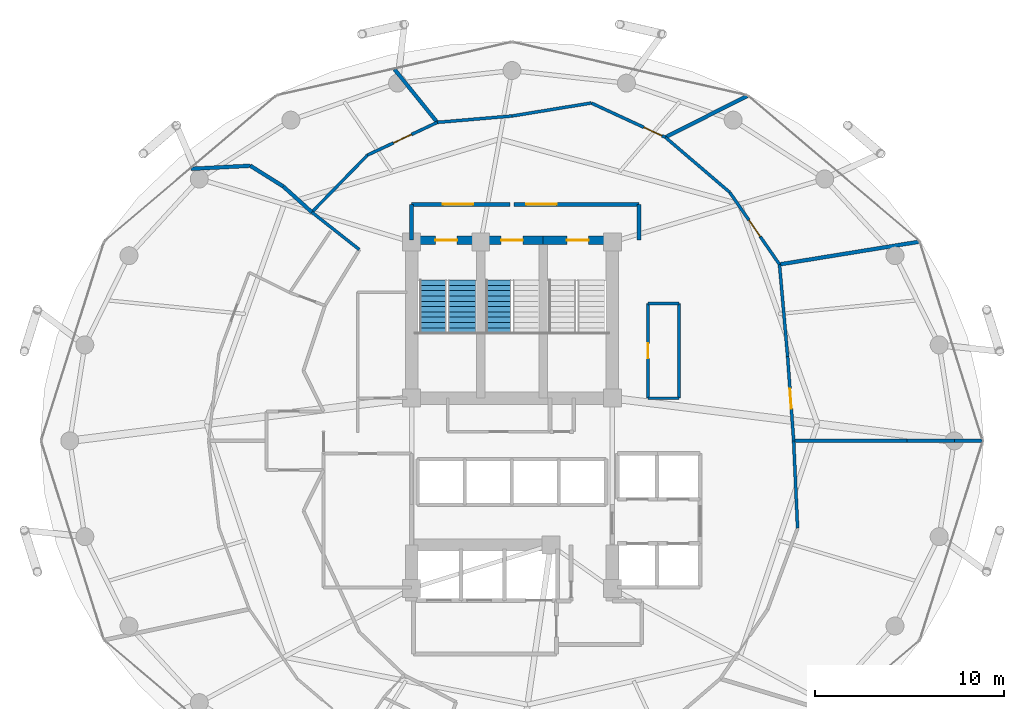
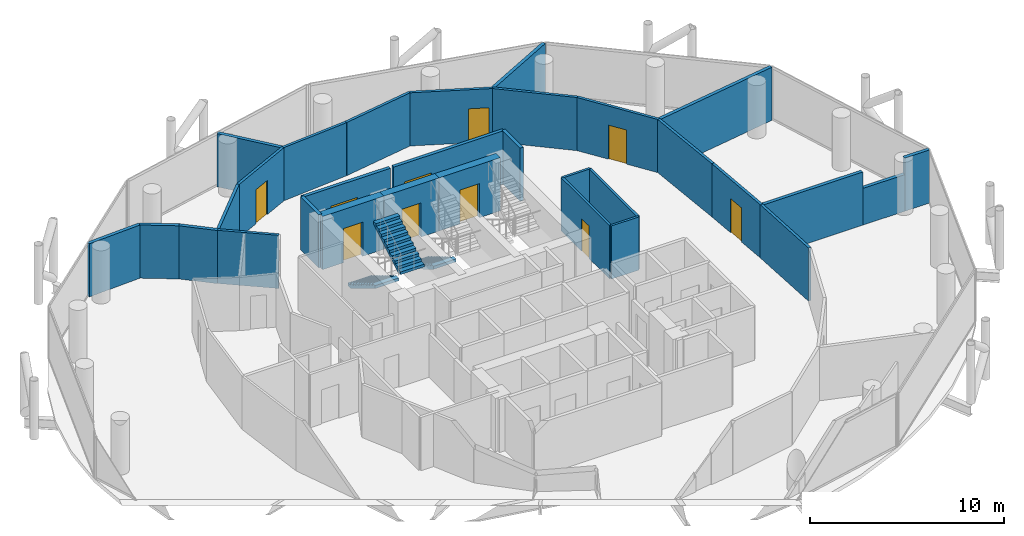
# One storey, part 24 of 26: 31 walls, 10 doors, 3 stair flights, 10 openings, 2 elements without a shape of their own.
"""IFC4 building model written with IfcOpenShell, lengths in metres."""

from ifc_helpers import new_model, si_unit, direction, frame, frame_2d, origin, place, context, subcontext, project, spatial, polyline, rectangle, outline, extrude, material, layer, layer_set, type_object, element, fill, aggregate, save


model = new_model("IFC4")

# Units and contexts
model_context = context("Model", 3, precision=1e-05, world=origin(), true_north=direction((0.0, 1.0)))
body_context = subcontext(model_context, "Body", "Model", "MODEL_VIEW")
ifc_project = project(units=[si_unit("LENGTHUNIT", "METRE"), si_unit("AREAUNIT", "SQUARE_METRE"), si_unit("VOLUMEUNIT", "CUBIC_METRE"), si_unit("PLANEANGLEUNIT", "RADIAN"), si_unit("MASSUNIT", "GRAM", prefix="KILO")], contexts=[model_context])

# Site, building, storey
site_placement = place(None, origin())
site = spatial("IfcSite", under=ifc_project, at=site_placement, CompositionType="ELEMENT")
building_placement = place(site_placement, origin())
building = spatial("IfcBuilding", under=site, at=building_placement, Name="Nuhasar Tower", CompositionType="ELEMENT")
storey_placement = place(building_placement, frame((0.0, 0.0, 192.25)))
storey = spatial("IfcBuildingStorey", under=building, at=storey_placement, Name="L47", CompositionType="ELEMENT", Elevation=192.25)

# Wall, opening, door
ifc_material_1 = material(Name="Concrete C50/60", Category="concrete")
ifc_layer_1 = layer(ifc_material_1, 0.449951171875)
ifc_layer_set_1 = layer_set([ifc_layer_1], Name="Concrete C50/60")
wall_type_1 = type_object("IfcWallType", Name="WL-CORE-450", PredefinedType="SHEAR", material=ifc_layer_set_1)
wall_1_placement = place(storey_placement, frame((37.35009765625, 37.39990234375, 0.0), z_axis=(0.0, 0.0, 1.0), x_axis=(-1.0, 0.0, 0.0)))
wall_1 = element("IfcWall", 1, at=wall_1_placement, inside=storey, type_object=wall_type_1, Name="L47 Stairwell Shear Wall ST01-N", PredefinedType="SHEAR", context=body_context, shape_type="SweptSolid", body=[
    extrude(rectangle(XDim=3.650146484375, YDim=0.449951171875, at=frame_2d((1.8251953125, 0.0))), origin(), (0.0, 0.0, 1.0), 3.35009765625),
])
opening_1_placement = place(wall_1_placement, frame((1.25, 0.0, 0.0)))
opening_1 = element("IfcOpeningElement", 2, at=opening_1_placement, cuts=wall_1, Name="Opening DS-01", PredefinedType="OPENING", context=body_context, shape_type="SweptSolid", body=[
    extrude(rectangle(XDim=1.14990234375, YDim=2.14990234375, at=frame_2d((0.574951171875, 1.074951171875))), frame((0.0, 0.23486328125, 0.0), z_axis=(0.0, -1.0, 0.0), x_axis=(1.0, 0.0, 0.0)), (0.0, 0.0, 1.0), 0.469970703125),
])
ifc_material_2 = material(Name="Steel S355", Category="steel")
door_type_1 = type_object("IfcDoorType", Name="DR-STAIR-FD120-1150", OperationType="NOTDEFINED", PredefinedType="DOOR", material=ifc_material_2)
door_1_placement = place(opening_1_placement, origin())
door_1 = element("IfcDoor", 3, at=door_1_placement, inside=storey, type_object=door_type_1, Name="L47 Exit Stair ST-01 Door", OperationType="SINGLE_SWING_RIGHT", OverallHeight=2.14990234375, OverallWidth=1.14990234375, PredefinedType="DOOR", context=body_context, shape_type="SweptSolid", body=[
    extrude(rectangle(XDim=1.14990234375, YDim=2.14990234375, at=frame_2d((0.574951171875, 1.074951171875))), frame((0.0, 0.02490234375, 0.0), z_axis=(0.0, -1.0, 0.0), x_axis=(1.0, 0.0, 0.0)), (0.0, 0.0, 1.0), 0.050048828125),
])
fill(opening_1, door_1)

wall_2_placement = place(storey_placement, frame((40.64990234375, 37.39990234375, 0.0), z_axis=(0.0, 0.0, 1.0), x_axis=(-1.0, 0.0, 0.0)))
wall_2 = element("IfcWall", 4, at=wall_2_placement, inside=storey, type_object=wall_type_1, Name="L47 Stairwell Shear Wall ST03-N", PredefinedType="SHEAR", context=body_context, shape_type="SweptSolid", body=[
    extrude(rectangle(XDim=3.2998046875, YDim=0.449951171875, at=frame_2d((1.64990234375, 0.0))), origin(), (0.0, 0.0, 1.0), 3.35009765625),
])
opening_2_placement = place(wall_2_placement, frame((1.074951171875, 0.0, 0.0)))
opening_2 = element("IfcOpeningElement", 5, at=opening_2_placement, cuts=wall_2, Name="Opening DS-01", PredefinedType="OPENING", context=body_context, shape_type="SweptSolid", body=[
    extrude(rectangle(XDim=1.14990234375, YDim=2.14990234375, at=frame_2d((0.574951171875, 1.074951171875))), frame((0.0, 0.23486328125, 0.0), z_axis=(0.0, -1.0, 0.0), x_axis=(1.0, 0.0, 0.0)), (0.0, 0.0, 1.0), 0.469970703125),
])
door_2_placement = place(opening_2_placement, origin())
door_2 = element("IfcDoor", 6, at=door_2_placement, inside=storey, type_object=door_type_1, Name="L47 Exit Stair ST-03 Door", OperationType="SINGLE_SWING_RIGHT", OverallHeight=2.14990234375, OverallWidth=1.14990234375, PredefinedType="DOOR", context=body_context, shape_type="SweptSolid", body=[
    extrude(rectangle(XDim=1.14990234375, YDim=2.14990234375, at=frame_2d((0.574951171875, 1.074951171875))), frame((0.0, 0.02490234375, 0.0), z_axis=(0.0, -1.0, 0.0), x_axis=(1.0, 0.0, 0.0)), (0.0, 0.0, 1.0), 0.050048828125),
])
fill(opening_2, door_2)

wall_3_placement = place(storey_placement, frame((44.300048828125, 37.39990234375, 0.0), z_axis=(0.0, 0.0, 1.0), x_axis=(-1.0, 0.0, 0.0)))
wall_3 = element("IfcWall", 7, at=wall_3_placement, inside=storey, type_object=wall_type_1, Name="L47 Stairwell Shear Wall ST02-N", PredefinedType="SHEAR", context=body_context, shape_type="SweptSolid", body=[
    extrude(rectangle(XDim=3.650146484375, YDim=0.449951171875, at=frame_2d((1.8251953125, 0.0))), origin(), (0.0, 0.0, 1.0), 3.35009765625),
])
opening_3_placement = place(wall_3_placement, frame((1.25, 0.0, 0.0)))
opening_3 = element("IfcOpeningElement", 8, at=opening_3_placement, cuts=wall_3, Name="Opening DS-01", PredefinedType="OPENING", context=body_context, shape_type="SweptSolid", body=[
    extrude(rectangle(XDim=1.14990234375, YDim=2.14990234375, at=frame_2d((0.574951171875, 1.074951171875))), frame((0.0, 0.23486328125, 0.0), z_axis=(0.0, -1.0, 0.0), x_axis=(1.0, 0.0, 0.0)), (0.0, 0.0, 1.0), 0.469970703125),
])
door_3_placement = place(opening_3_placement, origin())
door_3 = element("IfcDoor", 9, at=door_3_placement, inside=storey, type_object=door_type_1, Name="L47 Exit Stair ST-02 Door", OperationType="SINGLE_SWING_LEFT", OverallHeight=2.14990234375, OverallWidth=1.14990234375, PredefinedType="DOOR", context=body_context, shape_type="SweptSolid", body=[
    extrude(rectangle(XDim=1.14990234375, YDim=2.14990234375, at=frame_2d((0.574951171875, 1.074951171875))), frame((0.0, 0.02490234375, 0.0), z_axis=(0.0, -1.0, 0.0), x_axis=(1.0, 0.0, 0.0)), (0.0, 0.0, 1.0), 0.050048828125),
])
fill(opening_3, door_3)

# Wall
ifc_material_3 = material(Name="Gypsum Board", Category="gypsum")
ifc_layer_2 = layer(ifc_material_3, 0.159912109375)
ifc_layer_set_2 = layer_set([ifc_layer_2], Name="Gypsum Board")
wall_type_2 = type_object("IfcWallType", Name="WL-CORR-160", PredefinedType="PARTITIONING", material=ifc_layer_set_2)
wall_4_placement = place(storey_placement, frame((54.077880859375, 22.18505859375, 0.0), z_axis=(0.0, 0.0, 1.0), x_axis=(-0.044973757158, 0.998988168682, 0.0)))
element("IfcWall", 10, at=wall_4_placement, inside=storey, type_object=wall_type_2, Name="L47 Interior Partition CORR-46", PredefinedType="PARTITIONING", context=body_context, shape_type="SweptSolid", body=[
    extrude(rectangle(XDim=4.61962890625, YDim=0.159912109375, at=frame_2d((2.309814453125, 0.0))), origin(), (0.0, 0.0, 1.0), 3.35009765625),
])

# Wall, opening, door
wall_5_placement = place(storey_placement, frame((53.552001953125, 31.25390625, 0.0), z_axis=(0.0, 0.0, 1.0), x_axis=(0.071243164365, -0.997458977368, 0.0)))
wall_5 = element("IfcWall", 11, at=wall_5_placement, inside=storey, type_object=wall_type_2, Name="L47 Interior Partition CORR-00", PredefinedType="PARTITIONING", context=body_context, shape_type="SweptSolid", body=[
    extrude(rectangle(XDim=4.465087890625, YDim=0.159912109375, at=frame_2d((2.232421875, 0.0))), origin(), (0.0, 0.0, 1.0), 3.35009765625),
])
opening_4_placement = place(wall_5_placement, frame((1.7080078125, 0.0, 0.0)))
opening_4 = element("IfcOpeningElement", 12, at=opening_4_placement, cuts=wall_5, Name="Opening DU-01", PredefinedType="OPENING", context=body_context, shape_type="SweptSolid", body=[
    extrude(rectangle(XDim=1.050048828125, YDim=2.14990234375, at=frame_2d((0.52490234375, 1.074951171875))), frame((0.0, 0.08984375, 0.0), z_axis=(0.0, -1.0, 0.0), x_axis=(1.0, 0.0, 0.0)), (0.0, 0.0, 1.0), 0.179931640625),
])
ifc_material_4 = material(Name="Timber Oak", Category="wood")
door_type_2 = type_object("IfcDoorType", Name="DR-SUITE-FD60-1050", OperationType="NOTDEFINED", PredefinedType="DOOR", material=ifc_material_4)
door_4_placement = place(opening_4_placement, origin())
door_4 = element("IfcDoor", 13, at=door_4_placement, inside=storey, type_object=door_type_2, Name="L47 Royal Summit Conference Room 1 Entrance Door", OperationType="SINGLE_SWING_LEFT", OverallHeight=2.14990234375, OverallWidth=1.050048828125, PredefinedType="DOOR", context=body_context, shape_type="SweptSolid", body=[
    extrude(rectangle(XDim=1.050048828125, YDim=2.14990234375, at=frame_2d((0.52490234375, 1.074951171875))), frame((0.0, 0.02490234375, 0.0), z_axis=(0.0, -1.0, 0.0), x_axis=(1.0, 0.0, 0.0)), (0.0, 0.0, 1.0), 0.050048828125),
])
fill(opening_4, door_4)

# Wall
wall_6_placement = place(storey_placement, frame((53.552001953125, 31.25390625, 0.0), z_axis=(0.0, 0.0, 1.0), x_axis=(-0.088134812175, 0.996108555772, 0.0)))
element("IfcWall", 14, at=wall_6_placement, inside=storey, type_object=wall_type_2, Name="L47 Interior Partition CORR-02", PredefinedType="PARTITIONING", context=body_context, shape_type="SweptSolid", body=[
    extrude(rectangle(XDim=4.878173828125, YDim=0.159912109375, at=frame_2d((2.43896484375, 0.0))), origin(), (0.0, 0.0, 1.0), 3.35009765625),
])

# Wall, opening, door
wall_7_placement = place(storey_placement, frame((50.490966796875, 39.926025390625, 0.0), z_axis=(0.0, 0.0, 1.0), x_axis=(0.567945986758, -0.823065827334, 0.0)))
wall_7 = element("IfcWall", 15, at=wall_7_placement, inside=storey, type_object=wall_type_2, Name="L47 Interior Partition CORR-04", PredefinedType="PARTITIONING", context=body_context, shape_type="SweptSolid", body=[
    extrude(rectangle(XDim=4.632568359375, YDim=0.159912109375, at=frame_2d((2.31640625, 0.0))), origin(), (0.0, 0.0, 1.0), 3.35009765625),
])
opening_5_placement = place(wall_7_placement, frame((1.791015625, 0.0, 0.0)))
opening_5 = element("IfcOpeningElement", 16, at=opening_5_placement, cuts=wall_7, Name="Opening DU-01", PredefinedType="OPENING", context=body_context, shape_type="SweptSolid", body=[
    extrude(rectangle(XDim=1.050048828125, YDim=2.14990234375, at=frame_2d((0.52490234375, 1.074951171875))), frame((0.0, 0.08984375, 0.0), z_axis=(0.0, -1.0, 0.0), x_axis=(1.0, 0.0, 0.0)), (0.0, 0.0, 1.0), 0.179931640625),
])
door_5_placement = place(opening_5_placement, origin())
door_5 = element("IfcDoor", 17, at=door_5_placement, inside=storey, type_object=door_type_2, Name="L47 Royal Council Boardroom 2 Entrance Door", OperationType="SINGLE_SWING_LEFT", OverallHeight=2.14990234375, OverallWidth=1.050048828125, PredefinedType="DOOR", context=body_context, shape_type="SweptSolid", body=[
    extrude(rectangle(XDim=1.050048828125, YDim=2.14990234375, at=frame_2d((0.52490234375, 1.074951171875))), frame((0.0, 0.02490234375, 0.0), z_axis=(0.0, -1.0, 0.0), x_axis=(1.0, 0.0, 0.0)), (0.0, 0.0, 1.0), 0.050048828125),
])
fill(opening_5, door_5)

# Wall
wall_8_placement = place(storey_placement, frame((50.490966796875, 39.926025390625, 0.0), z_axis=(0.0, 0.0, 1.0), x_axis=(-0.760182801929, 0.64970924855, 0.0)))
element("IfcWall", 18, at=wall_8_placement, inside=storey, type_object=wall_type_2, Name="L47 Interior Partition CORR-06", PredefinedType="PARTITIONING", context=body_context, shape_type="SweptSolid", body=[
    extrude(rectangle(XDim=4.4619140625, YDim=0.159912109375, at=frame_2d((2.23095703125, 0.0))), origin(), (0.0, 0.0, 1.0), 3.35009765625),
])

# Wall, opening, door
wall_9_placement = place(storey_placement, frame((43.18408203125, 44.635009765625, 0.0), z_axis=(0.0, 0.0, 1.0), x_axis=(0.907684181703, -0.41965393634, 0.0)))
wall_9 = element("IfcWall", 19, at=wall_9_placement, inside=storey, type_object=wall_type_2, Name="L47 Interior Partition CORR-08", PredefinedType="PARTITIONING", context=body_context, shape_type="SweptSolid", body=[
    extrude(rectangle(XDim=4.313232421875, YDim=0.159912109375, at=frame_2d((2.15673828125, 0.0))), origin(), (0.0, 0.0, 1.0), 3.35009765625),
])
opening_6_placement = place(wall_9_placement, frame((3.06298828125, 0.0, 0.0)))
opening_6 = element("IfcOpeningElement", 20, at=opening_6_placement, cuts=wall_9, Name="Opening DU-01", PredefinedType="OPENING", context=body_context, shape_type="SweptSolid", body=[
    extrude(rectangle(XDim=1.050048828125, YDim=2.14990234375, at=frame_2d((0.52490234375, 1.074951171875))), frame((0.0, 0.08984375, 0.0), z_axis=(0.0, -1.0, 0.0), x_axis=(1.0, 0.0, 0.0)), (0.0, 0.0, 1.0), 0.179931640625),
])
door_6_placement = place(opening_6_placement, origin())
door_6 = element("IfcDoor", 21, at=door_6_placement, inside=storey, type_object=door_type_2, Name="L47 Royal Private Banquet Kitchen Entrance Door", OperationType="SINGLE_SWING_RIGHT", OverallHeight=2.14990234375, OverallWidth=1.050048828125, PredefinedType="DOOR", context=body_context, shape_type="SweptSolid", body=[
    extrude(rectangle(XDim=1.050048828125, YDim=2.14990234375, at=frame_2d((0.52490234375, 1.074951171875))), frame((0.0, 0.02490234375, 0.0), z_axis=(0.0, -1.0, 0.0), x_axis=(1.0, 0.0, 0.0)), (0.0, 0.0, 1.0), 0.050048828125),
])
fill(opening_6, door_6)

# Walls
wall_10_placement = place(storey_placement, frame((43.18408203125, 44.635009765625, 0.0), z_axis=(0.0, 0.0, 1.0), x_axis=(-0.986859895673, -0.161578297774, 0.0)))
element("IfcWall", 22, at=wall_10_placement, inside=storey, type_object=wall_type_2, Name="L47 Interior Partition CORR-10", PredefinedType="PARTITIONING", context=body_context, shape_type="SweptSolid", body=[
    extrude(rectangle(XDim=4.23974609375, YDim=0.159912109375, at=frame_2d((2.119873046875, 0.0))), origin(), (0.0, 0.0, 1.0), 3.35009765625),
])
wall_11_placement = place(storey_placement, frame((39.0, 43.949951171875, 0.0), z_axis=(0.0, 0.0, 1.0), x_axis=(-0.996371347496, -0.085112501365, 0.0)))
element("IfcWall", 23, at=wall_11_placement, inside=storey, type_object=wall_type_2, Name="L47 Interior Partition CORR-12", PredefinedType="PARTITIONING", context=body_context, shape_type="SweptSolid", body=[
    extrude(rectangle(XDim=3.95849609375, YDim=0.159912109375, at=frame_2d((1.979248046875, 0.0))), origin(), (0.0, 0.0, 1.0), 3.35009765625),
])

# Wall, opening, door
wall_12_placement = place(storey_placement, frame((31.3740234375, 41.887939453125, 0.0), z_axis=(0.0, 0.0, 1.0), x_axis=(0.905533196688, 0.424275417266, 0.0)))
wall_12 = element("IfcWall", 24, at=wall_12_placement, inside=storey, type_object=wall_type_2, Name="L47 Interior Partition CORR-14", PredefinedType="PARTITIONING", context=body_context, shape_type="SweptSolid", body=[
    extrude(rectangle(XDim=4.06591796875, YDim=0.159912109375, at=frame_2d((2.032958984375, 0.0))), origin(), (0.0, 0.0, 1.0), 3.35009765625),
])
opening_7_placement = place(wall_12_placement, frame((1.508056640625, 0.0, 0.0)))
opening_7 = element("IfcOpeningElement", 25, at=opening_7_placement, cuts=wall_12, Name="Opening DU-01", PredefinedType="OPENING", context=body_context, shape_type="SweptSolid", body=[
    extrude(rectangle(XDim=1.050048828125, YDim=2.14990234375, at=frame_2d((0.52490234375, 1.074951171875))), frame((0.0, 0.08984375, 0.0), z_axis=(0.0, -1.0, 0.0), x_axis=(1.0, 0.0, 0.0)), (0.0, 0.0, 1.0), 0.179931640625),
])
door_7_placement = place(opening_7_placement, origin())
door_7 = element("IfcDoor", 26, at=door_7_placement, inside=storey, type_object=door_type_2, Name="L47 Royal Protocol Office Entrance Door", OperationType="SINGLE_SWING_RIGHT", OverallHeight=2.14990234375, OverallWidth=1.050048828125, PredefinedType="DOOR", context=body_context, shape_type="SweptSolid", body=[
    extrude(rectangle(XDim=1.050048828125, YDim=2.14990234375, at=frame_2d((0.52490234375, 1.074951171875))), frame((0.0, 0.02490234375, 0.0), z_axis=(0.0, -1.0, 0.0), x_axis=(1.0, 0.0, 0.0)), (0.0, 0.0, 1.0), 0.050048828125),
])
fill(opening_7, door_7)

# Walls
wall_13_placement = place(storey_placement, frame((31.3740234375, 41.887939453125, 0.0), z_axis=(0.0, 0.0, 1.0), x_axis=(-0.698421583202, -0.715686587913, 0.0)))
element("IfcWall", 27, at=wall_13_placement, inside=storey, type_object=wall_type_2, Name="L47 Interior Partition CORR-16", PredefinedType="PARTITIONING", context=body_context, shape_type="SweptSolid", body=[
    extrude(rectangle(XDim=4.2138671875, YDim=0.159912109375, at=frame_2d((2.10693359375, 0.0))), origin(), (0.0, 0.0, 1.0), 3.35009765625),
])
wall_14_placement = place(storey_placement, frame((30.93896484375, 36.89697265625, 0.0), z_axis=(0.0, 0.0, 1.0), x_axis=(-0.785635850026, 0.618689187843, 0.0)))
element("IfcWall", 28, at=wall_14_placement, inside=storey, type_object=wall_type_2, Name="L47 Interior Partition HRAD-18-IN", PredefinedType="PARTITIONING", context=body_context, shape_type="SweptSolid", body=[
    extrude(rectangle(XDim=3.1923828125, YDim=0.159912109375, at=frame_2d((1.59619140625, 0.0))), origin(), (0.0, 0.0, 1.0), 3.35009765625),
])
ifc_material_5 = material(Name="Concrete C45/55", Category="concrete")
ifc_layer_3 = layer(ifc_material_5, 0.199951171875)
ifc_layer_set_3 = layer_set([ifc_layer_3], Name="Concrete C45/55")
wall_type_3 = type_object("IfcWallType", Name="WL-LOBBY-200", PredefinedType="SOLIDWALL", material=ifc_layer_set_3)
for number, where, z_axis, x_axis, name in (
    (29, (33.699951171875, 37.39990234375, 0.0), (0.0, 0.0, 1.0), (0.0, 1.0, 0.0), "L47 Interior Partition NSL-W"),
    (30, (45.699951171875, 37.39990234375, 0.0), (0.0, 0.0, 1.0), (0.0, 1.0, 0.0), "L47 Interior Partition NSL-E"),
):
    element("IfcWall", number, at=place(storey_placement, frame(where, z_axis=z_axis, x_axis=x_axis)), inside=storey, type_object=wall_type_3, Name=name, PredefinedType="SOLIDWALL", context=body_context, shape_type="SweptSolid", body=[
        extrude(rectangle(XDim=1.880126953125, YDim=0.199951171875, at=frame_2d((0.93994140625, 0.0))), origin(), (0.0, 0.0, 1.0), 3.35009765625),
    ])

# Wall, opening, door
wall_15_placement = place(storey_placement, frame((38.89990234375, 39.280029296875, 0.0), z_axis=(0.0, 0.0, 1.0), x_axis=(-1.0, 0.0, 0.0)))
wall_15 = element("IfcWall", 31, at=wall_15_placement, inside=storey, type_object=wall_type_3, Name="L47 Interior Partition NSL-N1", PredefinedType="SOLIDWALL", context=body_context, shape_type="SweptSolid", body=[
    extrude(rectangle(XDim=5.199951171875, YDim=0.199951171875, at=frame_2d((2.60009765625, 0.0))), origin(), (0.0, 0.0, 1.0), 3.35009765625),
])
opening_8_placement = place(wall_15_placement, frame((1.949951171875, 0.0, 0.0)))
opening_8 = element("IfcOpeningElement", 32, at=opening_8_placement, cuts=wall_15, Name="Opening DC-01", PredefinedType="OPENING", context=body_context, shape_type="SweptSolid", body=[
    extrude(rectangle(XDim=1.60009765625, YDim=2.199951171875, at=frame_2d((0.800048828125, 1.10009765625))), frame((0.0, 0.10986328125, 0.0), z_axis=(0.0, -1.0, 0.0), x_axis=(1.0, 0.0, 0.0)), (0.0, 0.0, 1.0), 0.219970703125),
])
door_type_3 = type_object("IfcDoorType", Name="DR-CORR-FD60-1600", OperationType="DOUBLE_DOOR_SINGLE_SWING", PredefinedType="DOOR", material=ifc_material_2)
door_8_placement = place(opening_8_placement, origin())
door_8 = element("IfcDoor", 33, at=door_8_placement, inside=storey, type_object=door_type_3, Name="L47 North Stair Lobby West Door", OperationType="DOUBLE_DOOR_SINGLE_SWING", OverallHeight=2.199951171875, OverallWidth=1.60009765625, PredefinedType="DOOR", context=body_context, shape_type="SweptSolid", body=[
    extrude(rectangle(XDim=1.60009765625, YDim=2.199951171875, at=frame_2d((0.800048828125, 1.10009765625))), frame((0.0, 0.02490234375, 0.0), z_axis=(0.0, -1.0, 0.0), x_axis=(1.0, 0.0, 0.0)), (0.0, 0.0, 1.0), 0.050048828125),
])
fill(opening_8, door_8)

wall_16_placement = place(storey_placement, frame((45.699951171875, 39.280029296875, 0.0), z_axis=(0.0, 0.0, 1.0), x_axis=(-1.0, 0.0, 0.0)))
wall_16 = element("IfcWall", 34, at=wall_16_placement, inside=storey, type_object=wall_type_3, Name="L47 Interior Partition NSL-N2", PredefinedType="SOLIDWALL", context=body_context, shape_type="SweptSolid", body=[
    extrude(rectangle(XDim=6.599853515625, YDim=0.199951171875, at=frame_2d((3.2998046875, 0.0))), origin(), (0.0, 0.0, 1.0), 3.35009765625),
])
opening_9_placement = place(wall_16_placement, frame((4.35009765625, 0.0, 0.0)))
opening_9 = element("IfcOpeningElement", 35, at=opening_9_placement, cuts=wall_16, Name="Opening DC-01", PredefinedType="OPENING", context=body_context, shape_type="SweptSolid", body=[
    extrude(rectangle(XDim=1.60009765625, YDim=2.199951171875, at=frame_2d((0.800048828125, 1.10009765625))), frame((0.0, 0.10986328125, 0.0), z_axis=(0.0, -1.0, 0.0), x_axis=(1.0, 0.0, 0.0)), (0.0, 0.0, 1.0), 0.219970703125),
])
door_9_placement = place(opening_9_placement, origin())
door_9 = element("IfcDoor", 36, at=door_9_placement, inside=storey, type_object=door_type_3, Name="L47 North Stair Lobby East Door", OperationType="DOUBLE_DOOR_SINGLE_SWING", OverallHeight=2.199951171875, OverallWidth=1.60009765625, PredefinedType="DOOR", context=body_context, shape_type="SweptSolid", body=[
    extrude(rectangle(XDim=1.60009765625, YDim=2.199951171875, at=frame_2d((0.800048828125, 1.10009765625))), frame((0.0, 0.02490234375, 0.0), z_axis=(0.0, -1.0, 0.0), x_axis=(1.0, 0.0, 0.0)), (0.0, 0.0, 1.0), 0.050048828125),
])
fill(opening_9, door_9)

# Walls
ifc_material_6 = material(Name="Concrete C40/50 precast", Category="concrete")
ifc_layer_4 = layer(ifc_material_6, 0.199951171875)
ifc_layer_set_4 = layer_set([ifc_layer_4], Name="Concrete C40/50 precast")
wall_type_4 = type_object("IfcWallType", Name="WL-UNIT-200", PredefinedType="PARTITIONING", material=ifc_layer_set_4)
wall_17_placement = place(storey_placement, frame((28.430908203125, 38.8720703125, 0.0), z_axis=(0.0, 0.0, 1.0), x_axis=(-0.742576754187, 0.669760975379, 0.0)))
element("IfcWall", 37, at=wall_17_placement, inside=storey, type_object=wall_type_4, Name="L47 Interior Partition HRAD-18-OUT-S1", PredefinedType="PARTITIONING", context=body_context, shape_type="SweptSolid", body=[
    extrude(rectangle(XDim=2.03173828125, YDim=0.199951171875, at=frame_2d((1.015869140625, 0.0))), origin(), (0.0, 0.0, 1.0), 3.35009765625),
])
wall_18_placement = place(storey_placement, frame((26.922119140625, 40.23291015625, 0.0), z_axis=(0.0, 0.0, 1.0), x_axis=(-0.847295877025, 0.53112116958, 0.0)))
element("IfcWall", 38, at=wall_18_placement, inside=storey, type_object=wall_type_4, Name="L47 Interior Partition HRAD-18-OUT-S2", PredefinedType="PARTITIONING", context=body_context, shape_type="SweptSolid", body=[
    extrude(rectangle(XDim=2.052490234375, YDim=0.199951171875, at=frame_2d((1.0263671875, 0.0))), origin(), (0.0, 0.0, 1.0), 3.35009765625),
])
wall_19_placement = place(storey_placement, frame((25.18310546875, 41.322998046875, 0.0), z_axis=(0.0, 0.0, 1.0), x_axis=(-0.9986532157, -0.051882123821, 0.0)))
element("IfcWall", 39, at=wall_19_placement, inside=storey, type_object=wall_type_4, Name="L47 Interior Partition HRAD-18-OUT-S3", PredefinedType="PARTITIONING", context=body_context, shape_type="SweptSolid", body=[
    extrude(rectangle(XDim=3.143310546875, YDim=0.199951171875, at=frame_2d((1.57177734375, 0.0))), origin(), (0.0, 0.0, 1.0), 3.35009765625),
])
wall_20_placement = place(storey_placement, frame((53.8701171875, 26.800048828125, 0.0), z_axis=(0.0, 0.0, 1.0), x_axis=(1.0, 0.0, 0.0)))
element("IfcWall", 40, at=wall_20_placement, inside=storey, type_object=wall_type_4, Name="L47 Interior Partition HRAD-00", PredefinedType="PARTITIONING", context=body_context, shape_type="SweptSolid", body=[
    extrude(rectangle(XDim=5.97998046875, YDim=0.199951171875, at=frame_2d((2.989990234375, 0.0))), origin(), (0.0, 0.0, 1.0), 3.35009765625),
])
wall_21_placement = place(storey_placement, frame((59.85009765625, 26.800048828125, 0.0), z_axis=(0.0, 0.0, 1.0), x_axis=(1.0, 0.0, 0.0)))
element("IfcWall", 41, at=wall_21_placement, inside=storey, type_object=wall_type_4, Name="L47 Interior Partition HRAD-00", PredefinedType="PARTITIONING", context=body_context, shape_type="SweptSolid", body=[
    extrude(rectangle(XDim=2.511962890625, YDim=0.199951171875, at=frame_2d((1.255859375, 0.0))), origin(), (0.0, 0.0, 1.0), 2.31005859375),
])
wall_22_placement = place(storey_placement, frame((62.362060546875, 26.800048828125, 0.0), z_axis=(0.0, 0.0, 1.0), x_axis=(1.0, 0.0, 0.0)))
element("IfcWall", 42, at=wall_22_placement, inside=storey, type_object=wall_type_4, Name="L47 Interior Partition HRAD-00", PredefinedType="PARTITIONING", context=body_context, shape_type="SweptSolid", body=[
    extrude(rectangle(XDim=1.462890625, YDim=0.199951171875, at=frame_2d((0.7314453125, 0.0))), origin(), (0.0, 0.0, 1.0), 3.35009765625),
])
wall_23_placement = place(storey_placement, frame((53.1220703125, 36.113037109375, 0.0), z_axis=(0.0, 0.0, 1.0), x_axis=(0.987048079656, 0.160424712708, 0.0)))
element("IfcWall", 43, at=wall_23_placement, inside=storey, type_object=wall_type_4, Name="L47 Interior Partition HRAD-04", PredefinedType="PARTITIONING", context=body_context, shape_type="SweptSolid", body=[
    extrude(rectangle(XDim=7.4736328125, YDim=0.199951171875, at=frame_2d((3.73681640625, 0.0))), origin(), (0.0, 0.0, 1.0), 3.35009765625),
])
wall_24_placement = place(storey_placement, frame((47.09912109375, 42.824951171875, 0.0), z_axis=(0.0, 0.0, 1.0), x_axis=(0.892255539141, 0.451530788398, 0.0)))
element("IfcWall", 44, at=wall_24_placement, inside=storey, type_object=wall_type_4, Name="L47 Interior Partition HRAD-08", PredefinedType="PARTITIONING", context=body_context, shape_type="SweptSolid", body=[
    extrude(rectangle(XDim=4.8349609375, YDim=0.199951171875, at=frame_2d((2.41748046875, 0.0))), origin(), (0.0, 0.0, 1.0), 3.35009765625),
])
wall_25_placement = place(storey_placement, frame((35.055908203125, 43.613037109375, 0.0), z_axis=(0.0, 0.0, 1.0), x_axis=(-0.628004145017, 0.778209993409, 0.0)))
element("IfcWall", 45, at=wall_25_placement, inside=storey, type_object=wall_type_4, Name="L47 Interior Partition HRAD-14", PredefinedType="PARTITIONING", context=body_context, shape_type="SweptSolid", body=[
    extrude(rectangle(XDim=3.601806640625, YDim=0.199951171875, at=frame_2d((1.80078125, 0.0))), origin(), (0.0, 0.0, 1.0), 3.35009765625),
])

# Wall, opening, door
ifc_layer_5 = layer(ifc_material_6, 0.139892578125)
ifc_layer_set_5 = layer_set([ifc_layer_5], Name="Concrete C40/50 precast")
wall_type_5 = type_object("IfcWallType", Name="WL-WET-140", PredefinedType="PARTITIONING", material=ifc_layer_set_5)
wall_26_placement = place(storey_placement, frame((46.179931640625, 34.050048828125, 0.0), z_axis=(0.0, 0.0, 1.0), x_axis=(0.0, -1.0, 0.0)))
wall_26 = element("IfcWall", 46, at=wall_26_placement, inside=storey, type_object=wall_type_5, Name="L47 Interior Partition K3-NE-W", PredefinedType="PARTITIONING", context=body_context, shape_type="SweptSolid", body=[
    extrude(rectangle(XDim=5.0, YDim=0.139892578125, at=frame_2d((2.5, 0.0))), origin(), (0.0, 0.0, 1.0), 3.35009765625),
])
opening_10_placement = place(wall_26_placement, frame((2.10009765625, 0.0, 0.0)))
opening_10 = element("IfcOpeningElement", 47, at=opening_10_placement, cuts=wall_26, Name="Opening DM-01", PredefinedType="OPENING", context=body_context, shape_type="SweptSolid", body=[
    extrude(rectangle(XDim=0.800048828125, YDim=2.050048828125, at=frame_2d((0.39990234375, 1.02490234375))), frame((0.0, 0.080078125, 0.0), z_axis=(0.0, -1.0, 0.0), x_axis=(1.0, 0.0, 0.0)), (0.0, 0.0, 1.0), 0.159912109375),
])
door_type_4 = type_object("IfcDoorType", Name="DR-RISER-FD60-800", OperationType="NOTDEFINED", PredefinedType="DOOR", material=ifc_material_2)
door_10_placement = place(opening_10_placement, origin())
door_10 = element("IfcDoor", 48, at=door_10_placement, inside=storey, type_object=door_type_4, Name="L47 NE Switchgear Room Door", OperationType="SINGLE_SWING_RIGHT", OverallHeight=2.050048828125, OverallWidth=0.800048828125, PredefinedType="DOOR", context=body_context, shape_type="SweptSolid", body=[
    extrude(rectangle(XDim=0.800048828125, YDim=2.050048828125, at=frame_2d((0.39990234375, 1.02490234375))), frame((0.0, 0.02490234375, 0.0), z_axis=(0.0, -1.0, 0.0), x_axis=(1.0, 0.0, 0.0)), (0.0, 0.0, 1.0), 0.050048828125),
])
fill(opening_10, door_10)

# Walls
for number, where, z_axis, x_axis, name in (
    (49, (46.179931640625, 29.050048828125, 0.0), (0.0, 0.0, 1.0), (1.0, 0.0, 0.0), "L47 Interior Partition K3-NE-S"),
    (50, (46.179931640625, 34.050048828125, 0.0), (0.0, 0.0, 1.0), (1.0, 0.0, 0.0), "L47 Interior Partition K3-NE-N"),
):
    element("IfcWall", number, at=place(storey_placement, frame(where, z_axis=z_axis, x_axis=x_axis)), inside=storey, type_object=wall_type_5, Name=name, PredefinedType="PARTITIONING", context=body_context, shape_type="SweptSolid", body=[
        extrude(rectangle(XDim=1.64013671875, YDim=0.139892578125, at=frame_2d((0.820068359375, 0.0))), origin(), (0.0, 0.0, 1.0), 3.35009765625),
    ])
wall_27_placement = place(storey_placement, frame((47.820068359375, 29.050048828125, 0.0), z_axis=(0.0, 0.0, 1.0), x_axis=(0.0, 1.0, 0.0)))
element("IfcWall", 51, at=wall_27_placement, inside=storey, type_object=wall_type_5, Name="L47 Interior Partition K3-NE-E", PredefinedType="PARTITIONING", context=body_context, shape_type="SweptSolid", body=[
    extrude(rectangle(XDim=5.0, YDim=0.139892578125, at=frame_2d((2.5, 0.0))), origin(), (0.0, 0.0, 1.0), 3.35009765625),
])

# Stair, stair flights
stair_type_1 = type_object("IfcStairType", Name="STR-ST-01-2F-22R-1682", PredefinedType="HALF_TURN_STAIR", material=ifc_material_5)
stair_1_placement = place(storey_placement, origin())
stair_1 = element("IfcStair", 52, at=stair_1_placement, inside=storey, type_object=stair_type_1, Name="L47 Exit Stair ST-01", PredefinedType="HALF_TURN_STAIR")
stair_flight_type_1 = type_object("IfcStairFlightType", Name="SFL-ST-01-11R-1682", PredefinedType="STRAIGHT", material=ifc_material_5)
stair_flight_1_placement = place(storey_placement, frame((34.830078125, 35.284912109375, 0.0), z_axis=(0.0, 0.0, 1.0), x_axis=(0.0, -1.0, 0.0)))
stair_flight_1 = element("IfcStairFlight", 53, at=stair_flight_1_placement, type_object=stair_flight_type_1, Name="ST-01 flight 1", NumberOfRisers=11, NumberOfTreads=10, PredefinedType="STRAIGHT", RiserHeight=0.168182, TreadLength=0.28, context=body_context, shape_type="SweptSolid", body=[
    extrude(outline(polyline([(0.0, 0.0), (0.0, 0.168212890625), (0.280029296875, 0.168212890625), (0.280029296875, 0.33642578125), (0.56005859375, 0.33642578125), (0.56005859375, 0.504638671875), (0.840087890625, 0.504638671875), (0.840087890625, 0.672607421875), (1.1201171875, 0.672607421875), (1.1201171875, 0.8408203125), (1.39990234375, 0.8408203125), (1.39990234375, 1.009033203125), (1.679931640625, 1.009033203125), (1.679931640625, 1.17724609375), (1.9599609375, 1.17724609375), (1.9599609375, 1.345458984375), (2.239990234375, 1.345458984375), (2.239990234375, 1.513671875), (2.52001953125, 1.513671875), (2.52001953125, 1.681884765625), (2.800048828125, 1.681884765625), (2.800048828125, 1.85009765625), (2.800048828125, 1.495361328125), (0.310546875, 0.0), (0.0, 0.0)])), frame((0.0, 0.7099609375, 0.0), z_axis=(0.0, -1.0, 0.0), x_axis=(1.0, 0.0, 0.0)), (0.0, 0.0, 1.0), 1.419921875),
])
stair_flight_2_placement = place(storey_placement, frame((36.35009765625, 32.485107421875, 1.85009765625), z_axis=(0.0, 0.0, 1.0), x_axis=(0.0, 1.0, 0.0)))
stair_flight_2 = element("IfcStairFlight", 54, at=stair_flight_2_placement, type_object=stair_flight_type_1, Name="ST-01 flight 2", NumberOfRisers=11, NumberOfTreads=10, PredefinedType="STRAIGHT", RiserHeight=0.168182, TreadLength=0.28, context=body_context, shape_type="SweptSolid", body=[
    extrude(outline(polyline([(0.0, 0.0), (0.0, 0.168212890625), (0.280029296875, 0.168212890625), (0.280029296875, 0.33642578125), (0.56005859375, 0.33642578125), (0.56005859375, 0.504638671875), (0.840087890625, 0.504638671875), (0.840087890625, 0.672607421875), (1.1201171875, 0.672607421875), (1.1201171875, 0.8408203125), (1.39990234375, 0.8408203125), (1.39990234375, 1.009033203125), (1.679931640625, 1.009033203125), (1.679931640625, 1.17724609375), (1.9599609375, 1.17724609375), (1.9599609375, 1.345458984375), (2.239990234375, 1.345458984375), (2.239990234375, 1.513671875), (2.52001953125, 1.513671875), (2.52001953125, 1.681884765625), (2.800048828125, 1.681884765625), (2.800048828125, 1.85009765625), (2.800048828125, 1.495361328125), (0.310546875, 0.0), (0.0, 0.0)])), frame((0.0, 0.7099609375, 0.0), z_axis=(0.0, -1.0, 0.0), x_axis=(1.0, 0.0, 0.0)), (0.0, 0.0, 1.0), 1.419921875),
])
aggregate(stair_1, [stair_flight_1, stair_flight_2])

# Stair, stair flight
stair_type_2 = type_object("IfcStairType", Name="STR-ST-03-2F-22R-1682", PredefinedType="HALF_TURN_STAIR", material=ifc_material_5)
stair_2_placement = place(storey_placement, origin())
stair_2 = element("IfcStair", 55, at=stair_2_placement, inside=storey, type_object=stair_type_2, Name="L47 Exit Stair ST-03", PredefinedType="HALF_TURN_STAIR")
stair_flight_type_2 = type_object("IfcStairFlightType", Name="SFL-ST-03-11R-1682", PredefinedType="STRAIGHT", material=ifc_material_5)
stair_flight_3_placement = place(storey_placement, frame((38.280029296875, 35.284912109375, 0.0), z_axis=(0.0, 0.0, 1.0), x_axis=(0.0, -1.0, 0.0)))
stair_flight_3 = element("IfcStairFlight", 56, at=stair_flight_3_placement, type_object=stair_flight_type_2, Name="ST-03 flight 1", NumberOfRisers=11, NumberOfTreads=10, PredefinedType="STRAIGHT", RiserHeight=0.168182, TreadLength=0.28, context=body_context, shape_type="SweptSolid", body=[
    extrude(outline(polyline([(0.0, 0.0), (0.0, 0.168212890625), (0.280029296875, 0.168212890625), (0.280029296875, 0.33642578125), (0.56005859375, 0.33642578125), (0.56005859375, 0.504638671875), (0.840087890625, 0.504638671875), (0.840087890625, 0.672607421875), (1.1201171875, 0.672607421875), (1.1201171875, 0.8408203125), (1.39990234375, 0.8408203125), (1.39990234375, 1.009033203125), (1.679931640625, 1.009033203125), (1.679931640625, 1.17724609375), (1.9599609375, 1.17724609375), (1.9599609375, 1.345458984375), (2.239990234375, 1.345458984375), (2.239990234375, 1.513671875), (2.52001953125, 1.513671875), (2.52001953125, 1.681884765625), (2.800048828125, 1.681884765625), (2.800048828125, 1.85009765625), (2.800048828125, 1.495361328125), (0.310546875, 0.0), (0.0, 0.0)])), frame((0.0, 0.669921875, 0.0), z_axis=(0.0, -1.0, 0.0), x_axis=(1.0, 0.0, 0.0)), (0.0, 0.0, 1.0), 1.340087890625),
])
aggregate(stair_2, [stair_flight_3])

save(model, "model.ifc")
